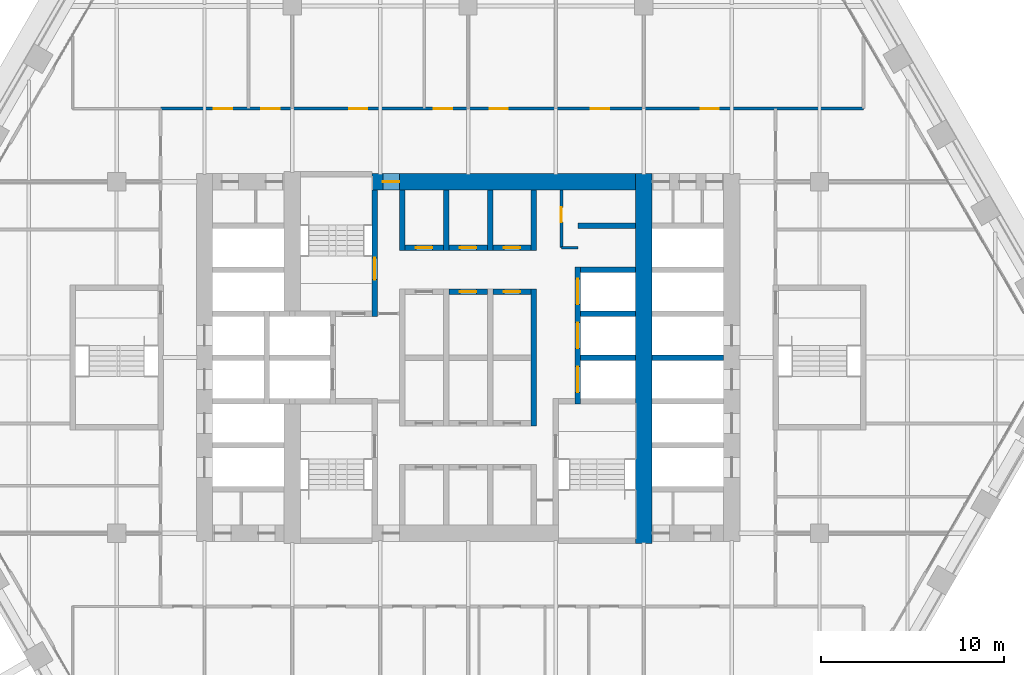
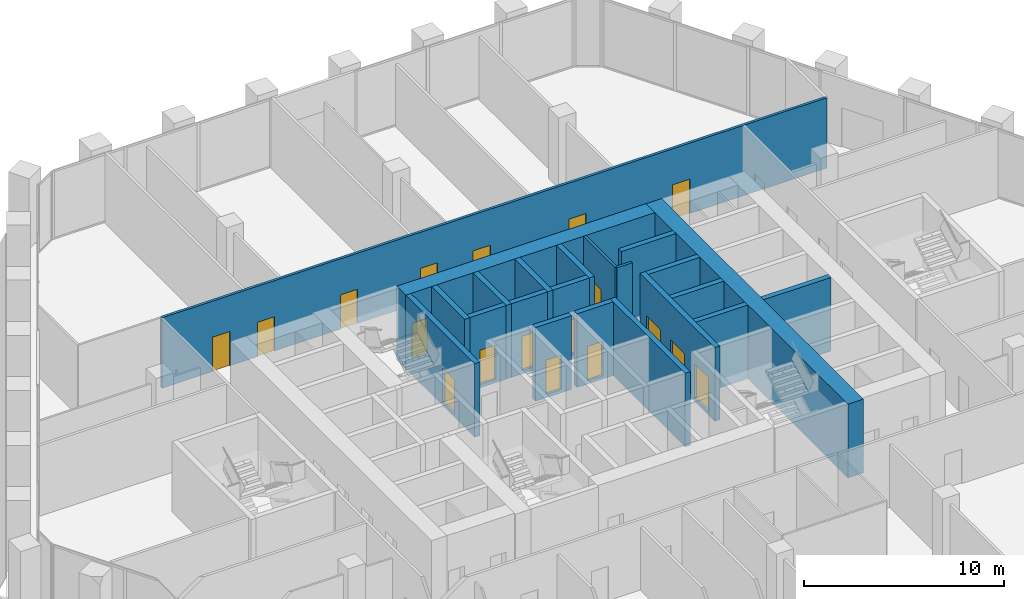
# One storey, part 18 of 26: 22 walls, 18 doors, 18 openings.
"""IFC4 building model written with IfcOpenShell, lengths in metres."""

from ifc_helpers import new_model, si_unit, direction, frame, frame_2d, origin, place, context, subcontext, project, spatial, rectangle, extrude, material, layer, layer_set, type_object, element, fill, save


model = new_model("IFC4")

# Units and contexts
model_context = context("Model", 3, precision=1e-05, world=origin(), true_north=direction((0.0, 1.0)))
body_context = subcontext(model_context, "Body", "Model", "MODEL_VIEW")
ifc_project = project(units=[si_unit("LENGTHUNIT", "METRE"), si_unit("AREAUNIT", "SQUARE_METRE"), si_unit("VOLUMEUNIT", "CUBIC_METRE"), si_unit("PLANEANGLEUNIT", "RADIAN"), si_unit("MASSUNIT", "GRAM", prefix="KILO")], contexts=[model_context])

# Site, building, storey
site_placement = place(None, origin())
site = spatial("IfcSite", under=ifc_project, at=site_placement, CompositionType="ELEMENT")
building_placement = place(site_placement, origin())
building = spatial("IfcBuilding", under=site, at=building_placement, Name="Kolab Exchange Tower", CompositionType="ELEMENT")
storey_placement = place(building_placement, frame((0.0, 0.0, 104.89990234375)))
storey = spatial("IfcBuildingStorey", under=building, at=storey_placement, Name="L20", CompositionType="ELEMENT", Elevation=104.89990234375)

# Wall, opening, door
ifc_material_1 = material(Name="Concrete C70/85", Category="concrete")
ifc_layer_1 = layer(ifc_material_1, 0.89990234375)
ifc_layer_set_1 = layer_set([ifc_layer_1], Name="Concrete C70/85")
wall_type_1 = type_object("IfcWallType", Name="CORE WALL 900 C70/85", PredefinedType="SHEAR", material=ifc_layer_set_1)
wall_1_placement = place(storey_placement, frame((-5.25, 9.60009765625, -0.199951171875), z_axis=(0.0, 0.0, 1.0), x_axis=(1.0, 0.0, 0.0)))
wall_1 = element("IfcWall", 1, at=wall_1_placement, inside=storey, type_object=wall_type_1, Name="wall/L20/core/052", PredefinedType="SHEAR", context=body_context, shape_type="SweptSolid", body=[
    extrude(rectangle(XDim=14.39990234375, YDim=0.89990234375, at=frame_2d((7.199951171875, 0.0))), origin(), (0.0, 0.0, 1.0), 4.5),
])
opening_1_placement = place(wall_1_placement, frame((0.60009765625, 0.0, 0.199951171875)))
opening_1 = element("IfcOpeningElement", 2, at=opening_1_placement, cuts=wall_1, Name="Opening D6-225", PredefinedType="OPENING", context=body_context, shape_type="SweptSolid", body=[
    extrude(rectangle(XDim=0.89990234375, YDim=2.10009765625, at=frame_2d((0.449951171875, 1.050048828125))), frame((0.0, 0.4599609375, 0.0), z_axis=(0.0, -1.0, 0.0), x_axis=(1.0, 0.0, 0.0)), (0.0, 0.0, 1.0), 0.919921875),
])
ifc_material_2 = material(Name="Steel S235", Category="steel")
door_type_1 = type_object("IfcDoorType", Name="CORE DOOR 900 EI 120", OperationType="SINGLE_SWING_LEFT", PredefinedType="DOOR", material=ifc_material_2)
door_1_placement = place(opening_1_placement, frame((0.89990234375, 0.0, 0.0), z_axis=(0.0, 0.0, 1.0), x_axis=(-1.0, 0.0, 0.0)))
door_1 = element("IfcDoor", 3, at=door_1_placement, inside=storey, type_object=door_type_1, Name="Core lobby door", OperationType="SINGLE_SWING_RIGHT", OverallHeight=2.10009765625, OverallWidth=0.89990234375, PredefinedType="DOOR", context=body_context, shape_type="SweptSolid", body=[
    extrude(rectangle(XDim=0.89990234375, YDim=2.10009765625, at=frame_2d((0.449951171875, 1.050048828125))), frame((0.0, 0.02490234375, 0.0), z_axis=(0.0, -1.0, 0.0), x_axis=(1.0, 0.0, 0.0)), (0.0, 0.0, 1.0), 0.050048828125),
])
fill(opening_1, door_1)

# Walls
wall_2_placement = place(storey_placement, frame((9.60009765625, -10.14990234375, -0.199951171875), z_axis=(0.0, 0.0, 1.0), x_axis=(0.0, 1.0, 0.0)))
element("IfcWall", 4, at=wall_2_placement, inside=storey, type_object=wall_type_1, Name="wall/L20/core/080", PredefinedType="SHEAR", context=body_context, shape_type="SweptSolid", body=[
    extrude(rectangle(XDim=20.199951171875, YDim=0.89990234375, at=frame_2d((10.10009765625, 0.0))), origin(), (0.0, 0.0, 1.0), 4.5),
])
ifc_material_3 = material(Name="Concrete C50/60", Category="concrete")
ifc_layer_2 = layer(ifc_material_3, 0.300048828125)
ifc_layer_set_2 = layer_set([ifc_layer_2], Name="Concrete C50/60")
wall_type_2 = type_object("IfcWallType", Name="LIFT SHAFT WALL 300 C50/60", PredefinedType="STANDARD", material=ifc_layer_set_2)
wall_3_placement = place(storey_placement, frame((6.14990234375, 0.0, -0.199951171875), z_axis=(0.0, 0.0, 1.0), x_axis=(1.0, 0.0, 0.0)))
element("IfcWall", 5, at=wall_3_placement, inside=storey, type_object=wall_type_2, Name="wall/L20/core/029", PredefinedType="STANDARD", context=body_context, shape_type="SweptSolid", body=[
    extrude(rectangle(XDim=3.0, YDim=0.300048828125, at=frame_2d((1.5, 0.0))), origin(), (0.0, 0.0, 1.0), 4.5),
])
wall_4_placement = place(storey_placement, frame((10.050048828125, 0.0, -0.199951171875), z_axis=(0.0, 0.0, 1.0), x_axis=(1.0, 0.0, 0.0)))
element("IfcWall", 6, at=wall_4_placement, inside=storey, type_object=wall_type_2, Name="wall/L20/core/030", PredefinedType="STANDARD", context=body_context, shape_type="SweptSolid", body=[
    extrude(rectangle(XDim=3.89990234375, YDim=0.300048828125, at=frame_2d((1.949951171875, 0.0))), origin(), (0.0, 0.0, 1.0), 4.5),
])
wall_5_placement = place(storey_placement, frame((6.14990234375, 2.39990234375, -0.199951171875), z_axis=(0.0, 0.0, 1.0), x_axis=(1.0, 0.0, 0.0)))
element("IfcWall", 7, at=wall_5_placement, inside=storey, type_object=wall_type_2, Name="wall/L20/core/035", PredefinedType="STANDARD", context=body_context, shape_type="SweptSolid", body=[
    extrude(rectangle(XDim=3.0, YDim=0.300048828125, at=frame_2d((1.5, 0.0))), origin(), (0.0, 0.0, 1.0), 4.5),
])

# Wall, opening, door
wall_6_placement = place(storey_placement, frame((-1.050048828125, 3.60009765625, -0.199951171875), z_axis=(0.0, 0.0, 1.0), x_axis=(1.0, 0.0, 0.0)))
wall_6 = element("IfcWall", 8, at=wall_6_placement, inside=storey, type_object=wall_type_2, Name="wall/L20/core/038", PredefinedType="STANDARD", context=body_context, shape_type="SweptSolid", body=[
    extrude(rectangle(XDim=2.10009765625, YDim=0.300048828125, at=frame_2d((1.050048828125, 0.0))), origin(), (0.0, 0.0, 1.0), 4.5),
])
opening_2_placement = place(wall_6_placement, frame((0.60009765625, 0.0, 0.199951171875)))
opening_2 = element("IfcOpeningElement", 9, at=opening_2_placement, cuts=wall_6, Name="Opening D6-195", PredefinedType="OPENING", context=body_context, shape_type="SweptSolid", body=[
    extrude(rectangle(XDim=0.89990234375, YDim=2.10009765625, at=frame_2d((0.449951171875, 1.050048828125))), frame((0.0, 0.16015625, 0.0), z_axis=(0.0, -1.0, 0.0), x_axis=(1.0, 0.0, 0.0)), (0.0, 0.0, 1.0), 0.320068359375),
])
door_2_placement = place(opening_2_placement, frame((0.89990234375, 0.0, 0.0), z_axis=(0.0, 0.0, 1.0), x_axis=(-1.0, 0.0, 0.0)))
door_2 = element("IfcDoor", 10, at=door_2_placement, inside=storey, type_object=door_type_1, Name="Service room door", OperationType="SINGLE_SWING_LEFT", OverallHeight=2.10009765625, OverallWidth=0.89990234375, PredefinedType="DOOR", context=body_context, shape_type="SweptSolid", body=[
    extrude(rectangle(XDim=0.89990234375, YDim=2.10009765625, at=frame_2d((0.449951171875, 1.050048828125))), frame((0.0, 0.02490234375, 0.0), z_axis=(0.0, -1.0, 0.0), x_axis=(1.0, 0.0, 0.0)), (0.0, 0.0, 1.0), 0.050048828125),
])
fill(opening_2, door_2)

wall_7_placement = place(storey_placement, frame((1.35009765625, 3.60009765625, -0.199951171875), z_axis=(0.0, 0.0, 1.0), x_axis=(1.0, 0.0, 0.0)))
wall_7 = element("IfcWall", 11, at=wall_7_placement, inside=storey, type_object=wall_type_2, Name="wall/L20/core/039", PredefinedType="STANDARD", context=body_context, shape_type="SweptSolid", body=[
    extrude(rectangle(XDim=2.099853515625, YDim=0.300048828125, at=frame_2d((1.0498046875, 0.0))), origin(), (0.0, 0.0, 1.0), 4.5),
])
opening_3_placement = place(wall_7_placement, frame((0.60009765625, 0.0, 0.199951171875)))
opening_3 = element("IfcOpeningElement", 12, at=opening_3_placement, cuts=wall_7, Name="Opening D6-194", PredefinedType="OPENING", context=body_context, shape_type="SweptSolid", body=[
    extrude(rectangle(XDim=0.89990234375, YDim=2.10009765625, at=frame_2d((0.449951171875, 1.050048828125))), frame((0.0, 0.16015625, 0.0), z_axis=(0.0, -1.0, 0.0), x_axis=(1.0, 0.0, 0.0)), (0.0, 0.0, 1.0), 0.320068359375),
])
door_3_placement = place(opening_3_placement, frame((0.89990234375, 0.0, 0.0), z_axis=(0.0, 0.0, 1.0), x_axis=(-1.0, 0.0, 0.0)))
door_3 = element("IfcDoor", 13, at=door_3_placement, inside=storey, type_object=door_type_1, Name="Service room door", OperationType="SINGLE_SWING_RIGHT", OverallHeight=2.10009765625, OverallWidth=0.89990234375, PredefinedType="DOOR", context=body_context, shape_type="SweptSolid", body=[
    extrude(rectangle(XDim=0.89990234375, YDim=2.10009765625, at=frame_2d((0.449951171875, 1.050048828125))), frame((0.0, 0.02490234375, 0.0), z_axis=(0.0, -1.0, 0.0), x_axis=(1.0, 0.0, 0.0)), (0.0, 0.0, 1.0), 0.050048828125),
])
fill(opening_3, door_3)

# Wall
wall_8_placement = place(storey_placement, frame((6.14990234375, 4.800048828125, -0.199951171875), z_axis=(0.0, 0.0, 1.0), x_axis=(1.0, 0.0, 0.0)))
element("IfcWall", 14, at=wall_8_placement, inside=storey, type_object=wall_type_2, Name="wall/L20/core/043", PredefinedType="STANDARD", context=body_context, shape_type="SweptSolid", body=[
    extrude(rectangle(XDim=3.0, YDim=0.300048828125, at=frame_2d((1.5, 0.0))), origin(), (0.0, 0.0, 1.0), 4.5),
])

# Wall, opening, door
wall_9_placement = place(storey_placement, frame((-3.449951171875, 6.0, -0.199951171875), z_axis=(0.0, 0.0, 1.0), x_axis=(1.0, 0.0, 0.0)))
wall_9 = element("IfcWall", 15, at=wall_9_placement, inside=storey, type_object=wall_type_2, Name="wall/L20/core/045", PredefinedType="STANDARD", context=body_context, shape_type="SweptSolid", body=[
    extrude(rectangle(XDim=2.099853515625, YDim=0.300048828125, at=frame_2d((1.0498046875, 0.0))), origin(), (0.0, 0.0, 1.0), 4.5),
])
opening_4_placement = place(wall_9_placement, frame((0.60009765625, 0.0, 0.199951171875)))
opening_4 = element("IfcOpeningElement", 16, at=opening_4_placement, cuts=wall_9, Name="Opening D6-193", PredefinedType="OPENING", context=body_context, shape_type="SweptSolid", body=[
    extrude(rectangle(XDim=0.89990234375, YDim=2.10009765625, at=frame_2d((0.449951171875, 1.050048828125))), frame((0.0, 0.16015625, 0.0), z_axis=(0.0, -1.0, 0.0), x_axis=(1.0, 0.0, 0.0)), (0.0, 0.0, 1.0), 0.320068359375),
])
door_4_placement = place(opening_4_placement, origin())
door_4 = element("IfcDoor", 17, at=door_4_placement, inside=storey, type_object=door_type_1, Name="Service room door", OperationType="SINGLE_SWING_LEFT", OverallHeight=2.10009765625, OverallWidth=0.89990234375, PredefinedType="DOOR", context=body_context, shape_type="SweptSolid", body=[
    extrude(rectangle(XDim=0.89990234375, YDim=2.10009765625, at=frame_2d((0.449951171875, 1.050048828125))), frame((0.0, 0.02490234375, 0.0), z_axis=(0.0, -1.0, 0.0), x_axis=(1.0, 0.0, 0.0)), (0.0, 0.0, 1.0), 0.050048828125),
])
fill(opening_4, door_4)

wall_10_placement = place(storey_placement, frame((-1.050048828125, 6.0, -0.199951171875), z_axis=(0.0, 0.0, 1.0), x_axis=(1.0, 0.0, 0.0)))
wall_10 = element("IfcWall", 18, at=wall_10_placement, inside=storey, type_object=wall_type_2, Name="wall/L20/core/046", PredefinedType="STANDARD", context=body_context, shape_type="SweptSolid", body=[
    extrude(rectangle(XDim=2.10009765625, YDim=0.300048828125, at=frame_2d((1.050048828125, 0.0))), origin(), (0.0, 0.0, 1.0), 4.5),
])
opening_5_placement = place(wall_10_placement, frame((0.60009765625, 0.0, 0.199951171875)))
opening_5 = element("IfcOpeningElement", 19, at=opening_5_placement, cuts=wall_10, Name="Opening D6-192", PredefinedType="OPENING", context=body_context, shape_type="SweptSolid", body=[
    extrude(rectangle(XDim=0.89990234375, YDim=2.10009765625, at=frame_2d((0.449951171875, 1.050048828125))), frame((0.0, 0.16015625, 0.0), z_axis=(0.0, -1.0, 0.0), x_axis=(1.0, 0.0, 0.0)), (0.0, 0.0, 1.0), 0.320068359375),
])
door_5_placement = place(opening_5_placement, origin())
door_5 = element("IfcDoor", 20, at=door_5_placement, inside=storey, type_object=door_type_1, Name="Service room door", OperationType="SINGLE_SWING_LEFT", OverallHeight=2.10009765625, OverallWidth=0.89990234375, PredefinedType="DOOR", context=body_context, shape_type="SweptSolid", body=[
    extrude(rectangle(XDim=0.89990234375, YDim=2.10009765625, at=frame_2d((0.449951171875, 1.050048828125))), frame((0.0, 0.02490234375, 0.0), z_axis=(0.0, -1.0, 0.0), x_axis=(1.0, 0.0, 0.0)), (0.0, 0.0, 1.0), 0.050048828125),
])
fill(opening_5, door_5)

wall_11_placement = place(storey_placement, frame((1.35009765625, 6.0, -0.199951171875), z_axis=(0.0, 0.0, 1.0), x_axis=(1.0, 0.0, 0.0)))
wall_11 = element("IfcWall", 21, at=wall_11_placement, inside=storey, type_object=wall_type_2, Name="wall/L20/core/047", PredefinedType="STANDARD", context=body_context, shape_type="SweptSolid", body=[
    extrude(rectangle(XDim=2.099853515625, YDim=0.300048828125, at=frame_2d((1.0498046875, 0.0))), origin(), (0.0, 0.0, 1.0), 4.5),
])
opening_6_placement = place(wall_11_placement, frame((0.60009765625, 0.0, 0.199951171875)))
opening_6 = element("IfcOpeningElement", 22, at=opening_6_placement, cuts=wall_11, Name="Opening D6-191", PredefinedType="OPENING", context=body_context, shape_type="SweptSolid", body=[
    extrude(rectangle(XDim=0.89990234375, YDim=2.10009765625, at=frame_2d((0.449951171875, 1.050048828125))), frame((0.0, 0.16015625, 0.0), z_axis=(0.0, -1.0, 0.0), x_axis=(1.0, 0.0, 0.0)), (0.0, 0.0, 1.0), 0.320068359375),
])
door_6_placement = place(opening_6_placement, origin())
door_6 = element("IfcDoor", 23, at=door_6_placement, inside=storey, type_object=door_type_1, Name="Service room door", OperationType="SINGLE_SWING_RIGHT", OverallHeight=2.10009765625, OverallWidth=0.89990234375, PredefinedType="DOOR", context=body_context, shape_type="SweptSolid", body=[
    extrude(rectangle(XDim=0.89990234375, YDim=2.10009765625, at=frame_2d((0.449951171875, 1.050048828125))), frame((0.0, 0.02490234375, 0.0), z_axis=(0.0, -1.0, 0.0), x_axis=(1.0, 0.0, 0.0)), (0.0, 0.0, 1.0), 0.050048828125),
])
fill(opening_6, door_6)

# Walls
wall_12_placement = place(storey_placement, frame((6.0, 7.199951171875, -0.199951171875), z_axis=(0.0, 0.0, 1.0), x_axis=(1.0, 0.0, 0.0)))
element("IfcWall", 24, at=wall_12_placement, inside=storey, type_object=wall_type_2, Name="wall/L20/core/049", PredefinedType="STANDARD", context=body_context, shape_type="SweptSolid", body=[
    extrude(rectangle(XDim=3.14990234375, YDim=0.300048828125, at=frame_2d((1.574951171875, 0.0))), origin(), (0.0, 0.0, 1.0), 4.5),
])
for number, where, z_axis, x_axis, name in (
    (25, (-3.60009765625, 5.85009765625, -0.199951171875), (0.0, 0.0, 1.0), (0.0, 1.0, 0.0), "wall/L20/core/068"),
    (26, (-1.199951171875, 5.85009765625, -0.199951171875), (0.0, 0.0, 1.0), (0.0, 1.0, 0.0), "wall/L20/core/071"),
    (27, (1.199951171875, 5.85009765625, -0.199951171875), (0.0, 0.0, 1.0), (0.0, 1.0, 0.0), "wall/L20/core/074"),
):
    element("IfcWall", number, at=place(storey_placement, frame(where, z_axis=z_axis, x_axis=x_axis)), inside=storey, type_object=wall_type_2, Name=name, PredefinedType="STANDARD", context=body_context, shape_type="SweptSolid", body=[
        extrude(rectangle(XDim=3.2998046875, YDim=0.300048828125, at=frame_2d((1.64990234375, 0.0))), origin(), (0.0, 0.0, 1.0), 4.5),
    ])
wall_13_placement = place(storey_placement, frame((3.60009765625, -3.75, -0.199951171875), z_axis=(0.0, 0.0, 1.0), x_axis=(0.0, 1.0, 0.0)))
element("IfcWall", 28, at=wall_13_placement, inside=storey, type_object=wall_type_2, Name="wall/L20/core/076", PredefinedType="STANDARD", context=body_context, shape_type="SweptSolid", body=[
    extrude(rectangle(XDim=7.5, YDim=0.300048828125, at=frame_2d((3.75, 0.0))), origin(), (0.0, 0.0, 1.0), 4.5),
])
wall_14_placement = place(storey_placement, frame((3.60009765625, 5.85009765625, -0.199951171875), z_axis=(0.0, 0.0, 1.0), x_axis=(0.0, 1.0, 0.0)))
element("IfcWall", 29, at=wall_14_placement, inside=storey, type_object=wall_type_2, Name="wall/L20/core/077", PredefinedType="STANDARD", context=body_context, shape_type="SweptSolid", body=[
    extrude(rectangle(XDim=3.2998046875, YDim=0.300048828125, at=frame_2d((1.64990234375, 0.0))), origin(), (0.0, 0.0, 1.0), 4.5),
])

# Wall, openings, doors
wall_15_placement = place(storey_placement, frame((6.0, -2.550048828125, -0.199951171875), z_axis=(0.0, 0.0, 1.0), x_axis=(0.0, 1.0, 0.0)))
wall_15 = element("IfcWall", 30, at=wall_15_placement, inside=storey, type_object=wall_type_2, Name="wall/L20/core/079", PredefinedType="STANDARD", context=body_context, shape_type="SweptSolid", body=[
    extrude(rectangle(XDim=7.5, YDim=0.300048828125, at=frame_2d((3.75, 0.0))), origin(), (0.0, 0.0, 1.0), 4.5),
])
opening_7_placement = place(wall_15_placement, frame((0.64990234375, 0.0, 0.199951171875)))
opening_7 = element("IfcOpeningElement", 31, at=opening_7_placement, cuts=wall_15, Name="Opening LD3-025", PredefinedType="OPENING", context=body_context, shape_type="SweptSolid", body=[
    extrude(rectangle(XDim=1.39990234375, YDim=2.10009765625, at=frame_2d((0.699951171875, 1.050048828125))), frame((0.0, 0.16015625, 0.0), z_axis=(0.0, -1.0, 0.0), x_axis=(1.0, 0.0, 0.0)), (0.0, 0.0, 1.0), 0.320068359375),
])
opening_8_placement = place(wall_15_placement, frame((3.050048828125, 0.0, 0.199951171875)))
opening_8 = element("IfcOpeningElement", 32, at=opening_8_placement, cuts=wall_15, Name="Opening LD3-026", PredefinedType="OPENING", context=body_context, shape_type="SweptSolid", body=[
    extrude(rectangle(XDim=1.39990234375, YDim=2.10009765625, at=frame_2d((0.699951171875, 1.050048828125))), frame((0.0, 0.16015625, 0.0), z_axis=(0.0, -1.0, 0.0), x_axis=(1.0, 0.0, 0.0)), (0.0, 0.0, 1.0), 0.320068359375),
])
opening_9_placement = place(wall_15_placement, frame((5.449951171875, 0.0, 0.199951171875)))
opening_9 = element("IfcOpeningElement", 33, at=opening_9_placement, cuts=wall_15, Name="Opening LD3-027", PredefinedType="OPENING", context=body_context, shape_type="SweptSolid", body=[
    extrude(rectangle(XDim=1.39990234375, YDim=2.10009765625, at=frame_2d((0.699951171875, 1.050048828125))), frame((0.0, 0.16015625, 0.0), z_axis=(0.0, -1.0, 0.0), x_axis=(1.0, 0.0, 0.0)), (0.0, 0.0, 1.0), 0.320068359375),
])
ifc_material_4 = material(Name="Stainless steel 316", Category="steel")
door_type_2 = type_object("IfcDoorType", Name="LANDING DOOR 1400 SERVICE", OperationType="DOUBLE_DOOR_SLIDING", PredefinedType="DOOR", material=ifc_material_4)
door_7_placement = place(opening_7_placement, origin())
door_7 = element("IfcDoor", 34, at=door_7_placement, inside=storey, type_object=door_type_2, Name="Landing door SV1", OperationType="DOUBLE_DOOR_SLIDING", OverallHeight=2.10009765625, OverallWidth=1.39990234375, PredefinedType="DOOR", context=body_context, shape_type="SweptSolid", body=[
    extrude(rectangle(XDim=1.39990234375, YDim=2.10009765625, at=frame_2d((0.699951171875, 1.050048828125))), frame((0.0, 0.02490234375, 0.0), z_axis=(0.0, -1.0, 0.0), x_axis=(1.0, 0.0, 0.0)), (0.0, 0.0, 1.0), 0.050048828125),
])
fill(opening_7, door_7)
door_8_placement = place(opening_8_placement, origin())
door_8 = element("IfcDoor", 35, at=door_8_placement, inside=storey, type_object=door_type_2, Name="Landing door SV2", OperationType="DOUBLE_DOOR_SLIDING", OverallHeight=2.10009765625, OverallWidth=1.39990234375, PredefinedType="DOOR", context=body_context, shape_type="SweptSolid", body=[
    extrude(rectangle(XDim=1.39990234375, YDim=2.10009765625, at=frame_2d((0.699951171875, 1.050048828125))), frame((0.0, 0.02490234375, 0.0), z_axis=(0.0, -1.0, 0.0), x_axis=(1.0, 0.0, 0.0)), (0.0, 0.0, 1.0), 0.050048828125),
])
fill(opening_8, door_8)
door_9_placement = place(opening_9_placement, origin())
door_9 = element("IfcDoor", 36, at=door_9_placement, inside=storey, type_object=door_type_2, Name="Landing door SV3", OperationType="DOUBLE_DOOR_SLIDING", OverallHeight=2.10009765625, OverallWidth=1.39990234375, PredefinedType="DOOR", context=body_context, shape_type="SweptSolid", body=[
    extrude(rectangle(XDim=1.39990234375, YDim=2.10009765625, at=frame_2d((0.699951171875, 1.050048828125))), frame((0.0, 0.02490234375, 0.0), z_axis=(0.0, -1.0, 0.0), x_axis=(1.0, 0.0, 0.0)), (0.0, 0.0, 1.0), 0.050048828125),
])
fill(opening_9, door_9)

# Wall, opening, door
ifc_material_5 = material(Name="Gypsum board", Category="gypsum")
ifc_layer_3 = layer(ifc_material_5, 0.14990234375)
ifc_layer_set_3 = layer_set([ifc_layer_3], Name="Gypsum board")
wall_type_3 = type_object("IfcWallType", Name="PARTITION 150 FIRE-RATED", PredefinedType="PARTITIONING", material=ifc_layer_set_3)
wall_16_placement = place(storey_placement, frame((5.10009765625, 6.0, 0.0), z_axis=(0.0, 0.0, 1.0), x_axis=(0.0, 1.0, 0.0)))
wall_16 = element("IfcWall", 37, at=wall_16_placement, inside=storey, type_object=wall_type_3, Name="Partition 012", PredefinedType="PARTITIONING", context=body_context, shape_type="SweptSolid", body=[
    extrude(rectangle(XDim=3.14990234375, YDim=0.14990234375, at=frame_2d((1.574951171875, 0.0))), origin(), (0.0, 0.0, 1.0), 4.300048828125),
])
opening_10_placement = place(wall_16_placement, frame((1.39990234375, 0.0, 0.0)))
opening_10 = element("IfcOpeningElement", 38, at=opening_10_placement, cuts=wall_16, Name="Opening D7-021", PredefinedType="OPENING", context=body_context, shape_type="SweptSolid", body=[
    extrude(rectangle(XDim=0.800048828125, YDim=2.10009765625, at=frame_2d((0.39990234375, 1.050048828125))), frame((0.0, 0.0849609375, 0.0), z_axis=(0.0, -1.0, 0.0), x_axis=(1.0, 0.0, 0.0)), (0.0, 0.0, 1.0), 0.169921875),
])
door_type_3 = type_object("IfcDoorType", Name="FLUSH DOOR 800 FD60", OperationType="SINGLE_SWING_LEFT", PredefinedType="DOOR", material=ifc_material_2)
door_10_placement = place(opening_10_placement, frame((0.800048828125, 0.0, 0.0), z_axis=(0.0, 0.0, 1.0), x_axis=(-1.0, 0.0, 0.0)))
door_10 = element("IfcDoor", 39, at=door_10_placement, inside=storey, type_object=door_type_3, Name="Door L20-042", OperationType="SINGLE_SWING_LEFT", OverallHeight=2.10009765625, OverallWidth=0.800048828125, PredefinedType="DOOR", context=body_context, shape_type="SweptSolid", body=[
    extrude(rectangle(XDim=0.800048828125, YDim=2.10009765625, at=frame_2d((0.39990234375, 1.050048828125))), frame((0.0, 0.02490234375, 0.0), z_axis=(0.0, -1.0, 0.0), x_axis=(1.0, 0.0, 0.0)), (0.0, 0.0, 1.0), 0.050048828125),
])
fill(opening_10, door_10)

# Wall
wall_17_placement = place(storey_placement, frame((5.10009765625, 6.0, 0.0), z_axis=(0.0, 0.0, 1.0), x_axis=(1.0, 0.0, 0.0)))
element("IfcWall", 40, at=wall_17_placement, inside=storey, type_object=wall_type_3, Name="Partition 047", PredefinedType="PARTITIONING", context=body_context, shape_type="SweptSolid", body=[
    extrude(rectangle(XDim=0.89990234375, YDim=0.14990234375, at=frame_2d((0.449951171875, 0.0))), origin(), (0.0, 0.0, 1.0), 4.300048828125),
])

# Wall, openings, doors
wall_18_placement = place(storey_placement, frame((-16.800048828125, 13.60009765625, 0.0), z_axis=(0.0, 0.0, 1.0), x_axis=(1.0, 0.0, 0.0)))
wall_18 = element("IfcWall", 41, at=wall_18_placement, inside=storey, type_object=wall_type_3, Name="Partition 055", PredefinedType="PARTITIONING", context=body_context, shape_type="SweptSolid", body=[
    extrude(rectangle(XDim=38.400146484375, YDim=0.14990234375, at=frame_2d((19.2001953125, 0.0))), origin(), (0.0, 0.0, 1.0), 4.300048828125),
])
opening_11_placement = place(wall_18_placement, frame((2.9150390625, 0.0, 0.0)))
opening_11 = element("IfcOpeningElement", 42, at=opening_11_placement, cuts=wall_18, Name="Opening D1-256", PredefinedType="OPENING", context=body_context, shape_type="SweptSolid", body=[
    extrude(rectangle(XDim=1.0, YDim=2.10009765625, at=frame_2d((0.5, 1.050048828125))), frame((0.0, 0.0849609375, 0.0), z_axis=(0.0, -1.0, 0.0), x_axis=(1.0, 0.0, 0.0)), (0.0, 0.0, 1.0), 0.169921875),
])
opening_12_placement = place(wall_18_placement, frame((5.5, 0.0, 0.0)))
opening_12 = element("IfcOpeningElement", 43, at=opening_12_placement, cuts=wall_18, Name="Opening D1-257", PredefinedType="OPENING", context=body_context, shape_type="SweptSolid", body=[
    extrude(rectangle(XDim=1.0, YDim=2.10009765625, at=frame_2d((0.5, 1.050048828125))), frame((0.0, 0.0849609375, 0.0), z_axis=(0.0, -1.0, 0.0), x_axis=(1.0, 0.0, 0.0)), (0.0, 0.0, 1.0), 0.169921875),
])
opening_13_placement = place(wall_18_placement, frame((10.300048828125, 0.0, 0.0)))
opening_13 = element("IfcOpeningElement", 44, at=opening_13_placement, cuts=wall_18, Name="Opening D1-258", PredefinedType="OPENING", context=body_context, shape_type="SweptSolid", body=[
    extrude(rectangle(XDim=1.0, YDim=2.10009765625, at=frame_2d((0.5, 1.050048828125))), frame((0.0, 0.0849609375, 0.0), z_axis=(0.0, -1.0, 0.0), x_axis=(1.0, 0.0, 0.0)), (0.0, 0.0, 1.0), 0.169921875),
])
opening_14_placement = place(wall_18_placement, frame((14.925048828125, 0.0, 0.0)))
opening_14 = element("IfcOpeningElement", 45, at=opening_14_placement, cuts=wall_18, Name="Opening D1-259", PredefinedType="OPENING", context=body_context, shape_type="SweptSolid", body=[
    extrude(rectangle(XDim=1.0, YDim=2.10009765625, at=frame_2d((0.5, 1.050048828125))), frame((0.0, 0.0849609375, 0.0), z_axis=(0.0, -1.0, 0.0), x_axis=(1.0, 0.0, 0.0)), (0.0, 0.0, 1.0), 0.169921875),
])
opening_15_placement = place(wall_18_placement, frame((17.97509765625, 0.0, 0.0)))
opening_15 = element("IfcOpeningElement", 46, at=opening_15_placement, cuts=wall_18, Name="Opening D1-260", PredefinedType="OPENING", context=body_context, shape_type="SweptSolid", body=[
    extrude(rectangle(XDim=1.0, YDim=2.10009765625, at=frame_2d((0.5, 1.050048828125))), frame((0.0, 0.0849609375, 0.0), z_axis=(0.0, -1.0, 0.0), x_axis=(1.0, 0.0, 0.0)), (0.0, 0.0, 1.0), 0.169921875),
])
opening_16_placement = place(wall_18_placement, frame((23.5, 0.0, 0.0)))
opening_16 = element("IfcOpeningElement", 47, at=opening_16_placement, cuts=wall_18, Name="Opening D1-261", PredefinedType="OPENING", context=body_context, shape_type="SweptSolid", body=[
    extrude(rectangle(XDim=1.0, YDim=2.10009765625, at=frame_2d((0.5, 1.050048828125))), frame((0.0, 0.0849609375, 0.0), z_axis=(0.0, -1.0, 0.0), x_axis=(1.0, 0.0, 0.0)), (0.0, 0.0, 1.0), 0.169921875),
])
opening_17_placement = place(wall_18_placement, frame((29.5, 0.0, 0.0)))
opening_17 = element("IfcOpeningElement", 48, at=opening_17_placement, cuts=wall_18, Name="Opening D1-262", PredefinedType="OPENING", context=body_context, shape_type="SweptSolid", body=[
    extrude(rectangle(XDim=1.0, YDim=2.10009765625, at=frame_2d((0.5, 1.050048828125))), frame((0.0, 0.0849609375, 0.0), z_axis=(0.0, -1.0, 0.0), x_axis=(1.0, 0.0, 0.0)), (0.0, 0.0, 1.0), 0.169921875),
])
door_type_4 = type_object("IfcDoorType", Name="FLUSH DOOR 1000 FD60", OperationType="SINGLE_SWING_LEFT", PredefinedType="DOOR", material=ifc_material_2)
door_11_placement = place(opening_11_placement, origin())
door_11 = element("IfcDoor", 49, at=door_11_placement, inside=storey, type_object=door_type_4, Name="Door L20-050", OperationType="SINGLE_SWING_RIGHT", OverallHeight=2.10009765625, OverallWidth=1.0, PredefinedType="DOOR", context=body_context, shape_type="SweptSolid", body=[
    extrude(rectangle(XDim=1.0, YDim=2.10009765625, at=frame_2d((0.5, 1.050048828125))), frame((0.0, 0.02490234375, 0.0), z_axis=(0.0, -1.0, 0.0), x_axis=(1.0, 0.0, 0.0)), (0.0, 0.0, 1.0), 0.050048828125),
])
fill(opening_11, door_11)
door_12_placement = place(opening_12_placement, origin())
door_12 = element("IfcDoor", 50, at=door_12_placement, inside=storey, type_object=door_type_4, Name="Door L20-051", OperationType="SINGLE_SWING_LEFT", OverallHeight=2.10009765625, OverallWidth=1.0, PredefinedType="DOOR", context=body_context, shape_type="SweptSolid", body=[
    extrude(rectangle(XDim=1.0, YDim=2.10009765625, at=frame_2d((0.5, 1.050048828125))), frame((0.0, 0.02490234375, 0.0), z_axis=(0.0, -1.0, 0.0), x_axis=(1.0, 0.0, 0.0)), (0.0, 0.0, 1.0), 0.050048828125),
])
fill(opening_12, door_12)
door_13_placement = place(opening_13_placement, origin())
door_13 = element("IfcDoor", 51, at=door_13_placement, inside=storey, type_object=door_type_4, Name="Door L20-052", OperationType="SINGLE_SWING_LEFT", OverallHeight=2.10009765625, OverallWidth=1.0, PredefinedType="DOOR", context=body_context, shape_type="SweptSolid", body=[
    extrude(rectangle(XDim=1.0, YDim=2.10009765625, at=frame_2d((0.5, 1.050048828125))), frame((0.0, 0.02490234375, 0.0), z_axis=(0.0, -1.0, 0.0), x_axis=(1.0, 0.0, 0.0)), (0.0, 0.0, 1.0), 0.050048828125),
])
fill(opening_13, door_13)
door_14_placement = place(opening_14_placement, origin())
door_14 = element("IfcDoor", 52, at=door_14_placement, inside=storey, type_object=door_type_4, Name="Door L20-053", OperationType="SINGLE_SWING_LEFT", OverallHeight=2.10009765625, OverallWidth=1.0, PredefinedType="DOOR", context=body_context, shape_type="SweptSolid", body=[
    extrude(rectangle(XDim=1.0, YDim=2.10009765625, at=frame_2d((0.5, 1.050048828125))), frame((0.0, 0.02490234375, 0.0), z_axis=(0.0, -1.0, 0.0), x_axis=(1.0, 0.0, 0.0)), (0.0, 0.0, 1.0), 0.050048828125),
])
fill(opening_14, door_14)
door_15_placement = place(opening_15_placement, origin())
door_15 = element("IfcDoor", 53, at=door_15_placement, inside=storey, type_object=door_type_4, Name="Door L20-054", OperationType="SINGLE_SWING_LEFT", OverallHeight=2.10009765625, OverallWidth=1.0, PredefinedType="DOOR", context=body_context, shape_type="SweptSolid", body=[
    extrude(rectangle(XDim=1.0, YDim=2.10009765625, at=frame_2d((0.5, 1.050048828125))), frame((0.0, 0.02490234375, 0.0), z_axis=(0.0, -1.0, 0.0), x_axis=(1.0, 0.0, 0.0)), (0.0, 0.0, 1.0), 0.050048828125),
])
fill(opening_15, door_15)
door_16_placement = place(opening_16_placement, origin())
door_16 = element("IfcDoor", 54, at=door_16_placement, inside=storey, type_object=door_type_4, Name="Door L20-055", OperationType="SINGLE_SWING_LEFT", OverallHeight=2.10009765625, OverallWidth=1.0, PredefinedType="DOOR", context=body_context, shape_type="SweptSolid", body=[
    extrude(rectangle(XDim=1.0, YDim=2.10009765625, at=frame_2d((0.5, 1.050048828125))), frame((0.0, 0.02490234375, 0.0), z_axis=(0.0, -1.0, 0.0), x_axis=(1.0, 0.0, 0.0)), (0.0, 0.0, 1.0), 0.050048828125),
])
fill(opening_16, door_16)
door_17_placement = place(opening_17_placement, origin())
door_17 = element("IfcDoor", 55, at=door_17_placement, inside=storey, type_object=door_type_4, Name="Door L20-056", OperationType="SINGLE_SWING_LEFT", OverallHeight=2.10009765625, OverallWidth=1.0, PredefinedType="DOOR", context=body_context, shape_type="SweptSolid", body=[
    extrude(rectangle(XDim=1.0, YDim=2.10009765625, at=frame_2d((0.5, 1.050048828125))), frame((0.0, 0.02490234375, 0.0), z_axis=(0.0, -1.0, 0.0), x_axis=(1.0, 0.0, 0.0)), (0.0, 0.0, 1.0), 0.050048828125),
])
fill(opening_17, door_17)

# Wall, opening, door
ifc_layer_4 = layer(ifc_material_3, 0.300048828125)
ifc_layer_set_4 = layer_set([ifc_layer_4], Name="Concrete C50/60")
wall_type_4 = type_object("IfcWallType", Name="STAIR ENCLOSURE WALL 300 C50/60", PredefinedType="STANDARD", material=ifc_layer_set_4)
wall_19_placement = place(storey_placement, frame((-5.10009765625, 2.25, -0.199951171875), z_axis=(0.0, 0.0, 1.0), x_axis=(0.0, 1.0, 0.0)))
wall_19 = element("IfcWall", 56, at=wall_19_placement, inside=storey, type_object=wall_type_4, Name="wall/L20/core/065", PredefinedType="STANDARD", context=body_context, shape_type="SweptSolid", body=[
    extrude(rectangle(XDim=6.89990234375, YDim=0.300048828125, at=frame_2d((3.449951171875, 0.0))), origin(), (0.0, 0.0, 1.0), 4.5),
])
opening_18_placement = place(wall_19_placement, frame((2.0, 0.0, 0.199951171875)))
opening_18 = element("IfcOpeningElement", 57, at=opening_18_placement, cuts=wall_19, Name="Opening D4-044", PredefinedType="OPENING", context=body_context, shape_type="SweptSolid", body=[
    extrude(rectangle(XDim=1.199951171875, YDim=2.10009765625, at=frame_2d((0.60009765625, 1.050048828125))), frame((0.0, 0.16015625, 0.0), z_axis=(0.0, -1.0, 0.0), x_axis=(1.0, 0.0, 0.0)), (0.0, 0.0, 1.0), 0.320068359375),
])
door_type_5 = type_object("IfcDoorType", Name="STAIR DOOR 1200 EI 120", OperationType="SINGLE_SWING_LEFT", PredefinedType="DOOR", material=ifc_material_2)
door_18_placement = place(opening_18_placement, origin())
door_18 = element("IfcDoor", 58, at=door_18_placement, inside=storey, type_object=door_type_5, Name="Stair 1 door", OperationType="SINGLE_SWING_LEFT", OverallHeight=2.10009765625, OverallWidth=1.199951171875, PredefinedType="DOOR", context=body_context, shape_type="SweptSolid", body=[
    extrude(rectangle(XDim=1.199951171875, YDim=2.10009765625, at=frame_2d((0.60009765625, 1.050048828125))), frame((0.0, 0.02490234375, 0.0), z_axis=(0.0, -1.0, 0.0), x_axis=(1.0, 0.0, 0.0)), (0.0, 0.0, 1.0), 0.050048828125),
])
fill(opening_18, door_18)

save(model, "model.ifc")
